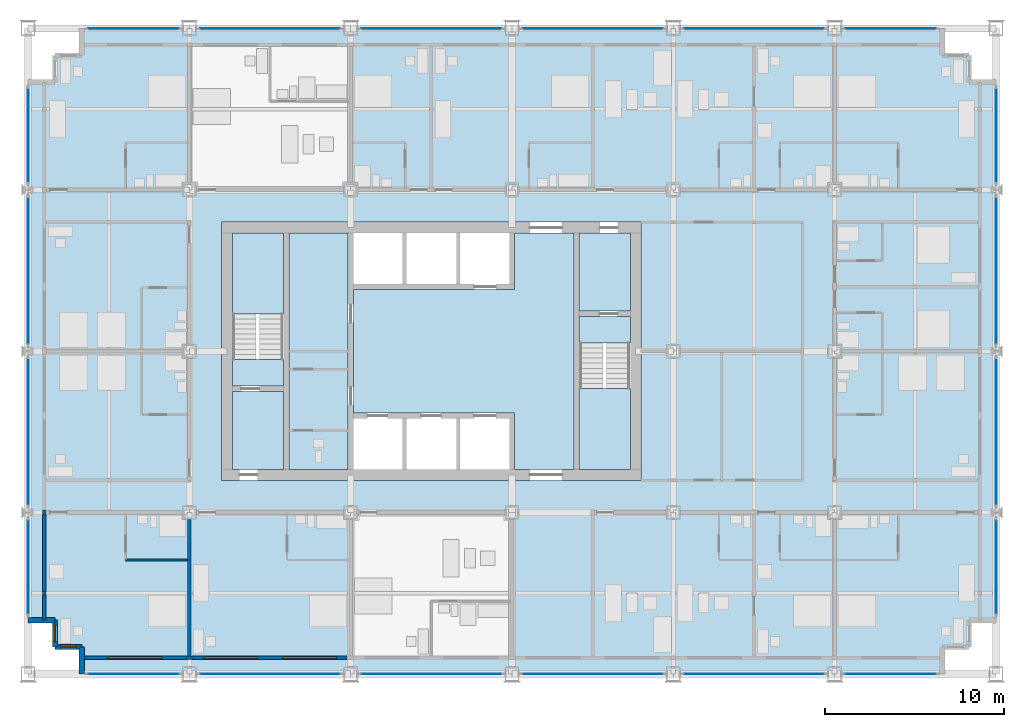
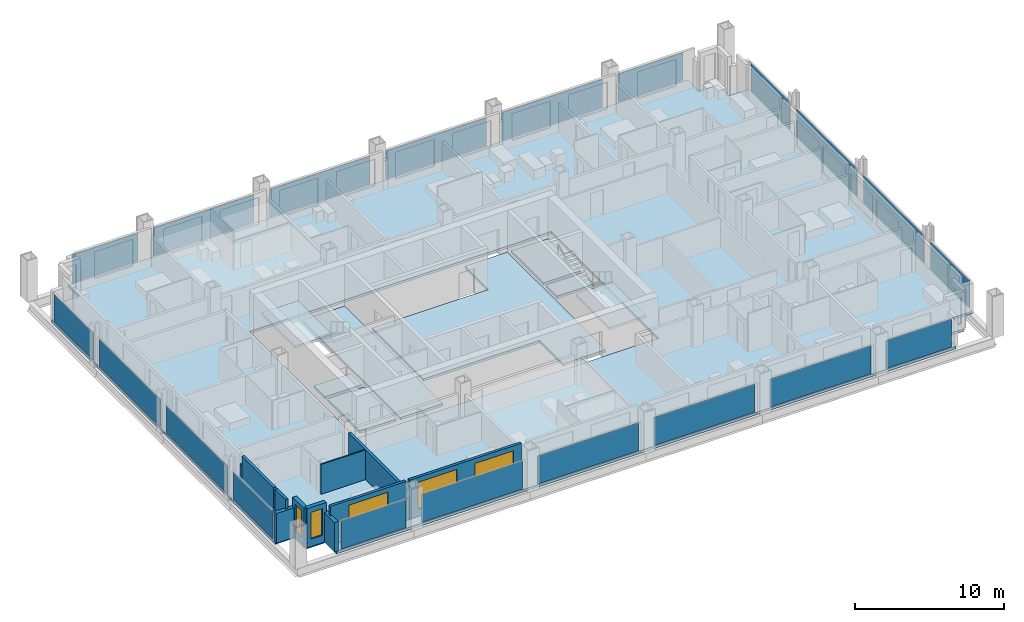
# One storey, part 9 of 18: 20 plates, 13 walls, 9 slabs, 5 windows, 5 openings, 22 elements without a shape of their own.
"""IFC4 building model written with IfcOpenShell, lengths in metres."""

from ifc_helpers import new_model, si_unit, direction, frame, frame_2d, origin, origin_2d, place, context, subcontext, project, spatial, polyline, rectangle, outline, extrude, material, layer, layer_set, type_object, element, fill, aggregate, save


model = new_model("IFC4")

# Units and contexts
model_context = context("Model", 3, precision=1e-05, world=origin(), true_north=direction((0.0, 1.0)))
body_context = subcontext(model_context, "Body", "Model", "MODEL_VIEW")
ifc_project = project(units=[si_unit("LENGTHUNIT", "METRE"), si_unit("AREAUNIT", "SQUARE_METRE"), si_unit("VOLUMEUNIT", "CUBIC_METRE"), si_unit("PLANEANGLEUNIT", "RADIAN"), si_unit("MASSUNIT", "GRAM", prefix="KILO")], contexts=[model_context])

# Site, building, storey
site_placement = place(None, origin())
site = spatial("IfcSite", under=ifc_project, at=site_placement, CompositionType="ELEMENT")
building_placement = place(site_placement, origin())
building = spatial("IfcBuilding", under=site, at=building_placement, Name="Loomwork Tower", CompositionType="ELEMENT")
storey_placement = place(building_placement, frame((0.0, 0.0, 72.199951171875)))
storey = spatial("IfcBuildingStorey", under=building, at=storey_placement, Name="L18", CompositionType="ELEMENT", Elevation=72.199951171875)

# Slabs
ifc_material_1 = material(Name="Concrete 5000 psi (34 MPa) on composite metal deck", Category="concrete")
ifc_layer_1 = layer(ifc_material_1, 0.199951171875)
ifc_layer_set_1 = layer_set([ifc_layer_1], Name="Floor slab 200")
slab_type_1 = type_object("IfcSlabType", Name="Floor slab 200", PredefinedType="FLOOR", material=ifc_layer_set_1)
slab_1_placement = place(storey_placement, frame((0.0, 0.0, -0.199951171875)))
element("IfcSlab", 1, at=slab_1_placement, inside=storey, type_object=slab_type_1, Name="Floor slab L18", PredefinedType="FLOOR", context=body_context, shape_type="SweptSolid", body=[
    extrude(outline(polyline([(3.0, 1.5), (1.5, 1.5), (1.5, 3.0), (0.0, 3.0), (0.0, 33.0), (1.5, 33.0), (1.5, 34.5), (3.0, 34.5), (3.0, 36.0), (51.0, 36.0), (51.0, 34.5), (52.5, 34.5), (52.5, 33.0), (54.0, 33.0), (54.0, 3.0), (52.5, 3.0), (52.5, 1.5), (51.0, 1.5), (51.0, 0.0), (3.0, 0.0), (3.0, 1.5)]), holes=[polyline([(10.800048828125, 11.39990234375), (10.800048828125, 11.39990234375), (10.800048828125, 10.800048828125), (34.199951171875, 10.800048828125), (34.199951171875, 11.39990234375), (34.199951171875, 11.39990234375), (34.199951171875, 24.60009765625), (34.199951171875, 25.199951171875), (10.800048828125, 25.199951171875), (10.800048828125, 24.60009765625), (10.800048828125, 11.39990234375)])]), origin(), (0.0, 0.0, 1.0), 0.199951171875),
])
slab_2_placement = place(storey_placement, frame((0.0, 0.0, -0.199951171875)))
element("IfcSlab", 2, at=slab_2_placement, inside=storey, type_object=slab_type_1, Name="Floor slab L18", PredefinedType="FLOOR", context=body_context, shape_type="SweptSolid", body=[
    extrude(outline(polyline([(30.449951171875, 24.60009765625), (30.449951171875, 11.39990234375), (27.14990234375, 11.39990234375), (27.14990234375, 14.25), (27.14990234375, 14.550048828125), (18.14990234375, 14.550048828125), (18.14990234375, 21.449951171875), (27.14990234375, 21.449951171875), (27.14990234375, 21.75), (27.14990234375, 24.60009765625), (30.449951171875, 24.60009765625)])), origin(), (0.0, 0.0, 1.0), 0.199951171875),
])
slab_3_placement = place(storey_placement, frame((0.0, 0.0, -0.199951171875)))
element("IfcSlab", 3, at=slab_3_placement, inside=storey, type_object=slab_type_1, Name="Floor slab L18", PredefinedType="FLOOR", context=body_context, shape_type="SweptSolid", body=[
    extrude(outline(polyline([(14.550048828125, 11.39990234375), (14.550048828125, 24.60009765625), (17.85009765625, 24.60009765625), (17.85009765625, 11.39990234375), (14.550048828125, 11.39990234375)])), origin(), (0.0, 0.0, 1.0), 0.199951171875),
])
slab_4_placement = place(storey_placement, frame((0.0, 0.0, -0.199951171875)))
element("IfcSlab", 4, at=slab_4_placement, inside=storey, type_object=slab_type_1, Name="Floor slab L18", PredefinedType="FLOOR", context=body_context, shape_type="SweptSolid", body=[
    extrude(outline(polyline([(33.60009765625, 20.25), (30.75, 20.25), (30.75, 24.60009765625), (33.60009765625, 24.60009765625), (33.60009765625, 20.25)])), origin(), (0.0, 0.0, 1.0), 0.199951171875),
])
slab_5_placement = place(storey_placement, frame((0.0, 0.0, -0.199951171875)))
element("IfcSlab", 5, at=slab_5_placement, inside=storey, type_object=slab_type_1, Name="Floor slab L18", PredefinedType="FLOOR", context=body_context, shape_type="SweptSolid", body=[
    extrude(outline(polyline([(14.25, 15.75), (14.25, 11.39990234375), (11.39990234375, 11.39990234375), (11.39990234375, 15.75), (14.25, 15.75)])), origin(), (0.0, 0.0, 1.0), 0.199951171875),
])

# Curtain wall, plate
ifc_material_2 = material(Name="Aluminium curtain wall frame", Category="aluminium")
curtain_wall_type = type_object("IfcCurtainWallType", Name="Outer skin glazing hotel", PredefinedType="NOTDEFINED", material=ifc_material_2)
curtain_wall_1_placement = place(storey_placement, origin())
curtain_wall_1 = element("IfcCurtainWall", 6, at=curtain_wall_1_placement, inside=storey, type_object=curtain_wall_type, Name="Outer skin glazing hotel cw/S-0", PredefinedType="NOTDEFINED")
ifc_material_3 = material(Name="Clear laminated glass", Category="glass")
ifc_layer_2 = layer(ifc_material_3, 0.02392578125)
ifc_layer_set_2 = layer_set([ifc_layer_2], Name="Outer skin glazing hotel panel")
plate_type = type_object("IfcPlateType", Name="Outer skin glazing hotel panel", PredefinedType="CURTAIN_PANEL", material=ifc_layer_set_2)
plate_1_placement = place(storey_placement, frame((5.875, 0.0, 0.06494140625), z_axis=(0.0, 0.0, 1.0), x_axis=(1.0, 0.0, 0.0)))
plate_1 = element("IfcPlate", 7, at=plate_1_placement, type_object=plate_type, Name="CW1 panel 1.1", PredefinedType="CURTAIN_PANEL", context=body_context, shape_type="SweptSolid", body=[
    extrude(rectangle(XDim=5.050048828125, YDim=0.02392578125, at=origin_2d()), origin(), (0.0, 0.0, 1.0), 2.290283203125),
])
aggregate(curtain_wall_1, [plate_1])

curtain_wall_2_placement = place(storey_placement, origin())
curtain_wall_2 = element("IfcCurtainWall", 8, at=curtain_wall_2_placement, inside=storey, type_object=curtain_wall_type, Name="Outer skin glazing hotel cw/S-9", PredefinedType="NOTDEFINED")
plate_2_placement = place(storey_placement, frame((13.5, 0.0, 0.06494140625), z_axis=(0.0, 0.0, 1.0), x_axis=(1.0, 0.0, 0.0)))
plate_2 = element("IfcPlate", 9, at=plate_2_placement, type_object=plate_type, Name="CW1 panel 1.1", PredefinedType="CURTAIN_PANEL", context=body_context, shape_type="SweptSolid", body=[
    extrude(rectangle(XDim=7.800048828125, YDim=0.02392578125, at=origin_2d()), origin(), (0.0, 0.0, 1.0), 2.290283203125),
])
aggregate(curtain_wall_2, [plate_2])

curtain_wall_3_placement = place(storey_placement, origin())
curtain_wall_3 = element("IfcCurtainWall", 10, at=curtain_wall_3_placement, inside=storey, type_object=curtain_wall_type, Name="Outer skin glazing hotel cw/S-18", PredefinedType="NOTDEFINED")
plate_3_placement = place(storey_placement, frame((22.5, 0.0, 0.06494140625), z_axis=(0.0, 0.0, 1.0), x_axis=(1.0, 0.0, 0.0)))
plate_3 = element("IfcPlate", 11, at=plate_3_placement, type_object=plate_type, Name="CW1 panel 1.1", PredefinedType="CURTAIN_PANEL", context=body_context, shape_type="SweptSolid", body=[
    extrude(rectangle(XDim=7.800048828125, YDim=0.02392578125, at=origin_2d()), origin(), (0.0, 0.0, 1.0), 2.290283203125),
])
aggregate(curtain_wall_3, [plate_3])

curtain_wall_4_placement = place(storey_placement, origin())
curtain_wall_4 = element("IfcCurtainWall", 12, at=curtain_wall_4_placement, inside=storey, type_object=curtain_wall_type, Name="Outer skin glazing hotel cw/S-27", PredefinedType="NOTDEFINED")
plate_4_placement = place(storey_placement, frame((31.5, 0.0, 0.06494140625), z_axis=(0.0, 0.0, 1.0), x_axis=(1.0, 0.0, 0.0)))
plate_4 = element("IfcPlate", 13, at=plate_4_placement, type_object=plate_type, Name="CW1 panel 1.1", PredefinedType="CURTAIN_PANEL", context=body_context, shape_type="SweptSolid", body=[
    extrude(rectangle(XDim=7.800048828125, YDim=0.02392578125, at=origin_2d()), origin(), (0.0, 0.0, 1.0), 2.290283203125),
])
aggregate(curtain_wall_4, [plate_4])

curtain_wall_5_placement = place(storey_placement, origin())
curtain_wall_5 = element("IfcCurtainWall", 14, at=curtain_wall_5_placement, inside=storey, type_object=curtain_wall_type, Name="Outer skin glazing hotel cw/S-36", PredefinedType="NOTDEFINED")
plate_5_placement = place(storey_placement, frame((40.5, 0.0, 0.06494140625), z_axis=(0.0, 0.0, 1.0), x_axis=(1.0, 0.0, 0.0)))
plate_5 = element("IfcPlate", 15, at=plate_5_placement, type_object=plate_type, Name="CW1 panel 1.1", PredefinedType="CURTAIN_PANEL", context=body_context, shape_type="SweptSolid", body=[
    extrude(rectangle(XDim=7.800048828125, YDim=0.02392578125, at=origin_2d()), origin(), (0.0, 0.0, 1.0), 2.290283203125),
])
aggregate(curtain_wall_5, [plate_5])

curtain_wall_6_placement = place(storey_placement, origin())
curtain_wall_6 = element("IfcCurtainWall", 16, at=curtain_wall_6_placement, inside=storey, type_object=curtain_wall_type, Name="Outer skin glazing hotel cw/S-45", PredefinedType="NOTDEFINED")
plate_6_placement = place(storey_placement, frame((48.125, 0.0, 0.06494140625), z_axis=(0.0, 0.0, 1.0), x_axis=(1.0, 0.0, 0.0)))
plate_6 = element("IfcPlate", 17, at=plate_6_placement, type_object=plate_type, Name="CW1 panel 1.1", PredefinedType="CURTAIN_PANEL", context=body_context, shape_type="SweptSolid", body=[
    extrude(rectangle(XDim=5.050048828125, YDim=0.02392578125, at=origin_2d()), origin(), (0.0, 0.0, 1.0), 2.290283203125),
])
aggregate(curtain_wall_6, [plate_6])

curtain_wall_7_placement = place(storey_placement, origin())
curtain_wall_7 = element("IfcCurtainWall", 18, at=curtain_wall_7_placement, inside=storey, type_object=curtain_wall_type, Name="Outer skin glazing hotel cw/N-0", PredefinedType="NOTDEFINED")
plate_7_placement = place(storey_placement, frame((5.875, 36.0, 0.06494140625), z_axis=(0.0, 0.0, 1.0), x_axis=(-1.0, 0.0, 0.0)))
plate_7 = element("IfcPlate", 19, at=plate_7_placement, type_object=plate_type, Name="CW1 panel 1.1", PredefinedType="CURTAIN_PANEL", context=body_context, shape_type="SweptSolid", body=[
    extrude(rectangle(XDim=5.050048828125, YDim=0.02392578125, at=origin_2d()), origin(), (0.0, 0.0, 1.0), 2.290283203125),
])
aggregate(curtain_wall_7, [plate_7])

curtain_wall_8_placement = place(storey_placement, origin())
curtain_wall_8 = element("IfcCurtainWall", 20, at=curtain_wall_8_placement, inside=storey, type_object=curtain_wall_type, Name="Outer skin glazing hotel cw/N-9", PredefinedType="NOTDEFINED")
plate_8_placement = place(storey_placement, frame((13.5, 36.0, 0.06494140625), z_axis=(0.0, 0.0, 1.0), x_axis=(-1.0, 0.0, 0.0)))
plate_8 = element("IfcPlate", 21, at=plate_8_placement, type_object=plate_type, Name="CW1 panel 1.1", PredefinedType="CURTAIN_PANEL", context=body_context, shape_type="SweptSolid", body=[
    extrude(rectangle(XDim=7.800048828125, YDim=0.02392578125, at=origin_2d()), origin(), (0.0, 0.0, 1.0), 2.290283203125),
])
aggregate(curtain_wall_8, [plate_8])

curtain_wall_9_placement = place(storey_placement, origin())
curtain_wall_9 = element("IfcCurtainWall", 22, at=curtain_wall_9_placement, inside=storey, type_object=curtain_wall_type, Name="Outer skin glazing hotel cw/N-18", PredefinedType="NOTDEFINED")
plate_9_placement = place(storey_placement, frame((22.5, 36.0, 0.06494140625), z_axis=(0.0, 0.0, 1.0), x_axis=(-1.0, 0.0, 0.0)))
plate_9 = element("IfcPlate", 23, at=plate_9_placement, type_object=plate_type, Name="CW1 panel 1.1", PredefinedType="CURTAIN_PANEL", context=body_context, shape_type="SweptSolid", body=[
    extrude(rectangle(XDim=7.800048828125, YDim=0.02392578125, at=origin_2d()), origin(), (0.0, 0.0, 1.0), 2.290283203125),
])
aggregate(curtain_wall_9, [plate_9])

curtain_wall_10_placement = place(storey_placement, origin())
curtain_wall_10 = element("IfcCurtainWall", 24, at=curtain_wall_10_placement, inside=storey, type_object=curtain_wall_type, Name="Outer skin glazing hotel cw/N-27", PredefinedType="NOTDEFINED")
plate_10_placement = place(storey_placement, frame((31.5, 36.0, 0.06494140625), z_axis=(0.0, 0.0, 1.0), x_axis=(-1.0, 0.0, 0.0)))
plate_10 = element("IfcPlate", 25, at=plate_10_placement, type_object=plate_type, Name="CW1 panel 1.1", PredefinedType="CURTAIN_PANEL", context=body_context, shape_type="SweptSolid", body=[
    extrude(rectangle(XDim=7.800048828125, YDim=0.02392578125, at=origin_2d()), origin(), (0.0, 0.0, 1.0), 2.290283203125),
])
aggregate(curtain_wall_10, [plate_10])

curtain_wall_11_placement = place(storey_placement, origin())
curtain_wall_11 = element("IfcCurtainWall", 26, at=curtain_wall_11_placement, inside=storey, type_object=curtain_wall_type, Name="Outer skin glazing hotel cw/N-36", PredefinedType="NOTDEFINED")
plate_11_placement = place(storey_placement, frame((40.5, 36.0, 0.06494140625), z_axis=(0.0, 0.0, 1.0), x_axis=(-1.0, 0.0, 0.0)))
plate_11 = element("IfcPlate", 27, at=plate_11_placement, type_object=plate_type, Name="CW1 panel 1.1", PredefinedType="CURTAIN_PANEL", context=body_context, shape_type="SweptSolid", body=[
    extrude(rectangle(XDim=7.800048828125, YDim=0.02392578125, at=origin_2d()), origin(), (0.0, 0.0, 1.0), 2.290283203125),
])
aggregate(curtain_wall_11, [plate_11])

curtain_wall_12_placement = place(storey_placement, origin())
curtain_wall_12 = element("IfcCurtainWall", 28, at=curtain_wall_12_placement, inside=storey, type_object=curtain_wall_type, Name="Outer skin glazing hotel cw/N-45", PredefinedType="NOTDEFINED")
plate_12_placement = place(storey_placement, frame((48.125, 36.0, 0.06494140625), z_axis=(0.0, 0.0, 1.0), x_axis=(-1.0, 0.0, 0.0)))
plate_12 = element("IfcPlate", 29, at=plate_12_placement, type_object=plate_type, Name="CW1 panel 1.1", PredefinedType="CURTAIN_PANEL", context=body_context, shape_type="SweptSolid", body=[
    extrude(rectangle(XDim=5.050048828125, YDim=0.02392578125, at=origin_2d()), origin(), (0.0, 0.0, 1.0), 2.290283203125),
])
aggregate(curtain_wall_12, [plate_12])

curtain_wall_13_placement = place(storey_placement, origin())
curtain_wall_13 = element("IfcCurtainWall", 30, at=curtain_wall_13_placement, inside=storey, type_object=curtain_wall_type, Name="Outer skin glazing hotel cw/W-0", PredefinedType="NOTDEFINED")
plate_13_placement = place(storey_placement, frame((0.0, 5.96142578125, 0.06494140625), z_axis=(0.0, 0.0, 1.0), x_axis=(0.0, -1.0, 0.0)))
plate_13 = element("IfcPlate", 31, at=plate_13_placement, type_object=plate_type, Name="CW1 panel 1.1", PredefinedType="CURTAIN_PANEL", context=body_context, shape_type="SweptSolid", body=[
    extrude(rectangle(XDim=5.22265625, YDim=0.02392578125, at=origin_2d()), origin(), (0.0, 0.0, 1.0), 2.290283203125),
])
aggregate(curtain_wall_13, [plate_13])

curtain_wall_14_placement = place(storey_placement, origin())
curtain_wall_14 = element("IfcCurtainWall", 32, at=curtain_wall_14_placement, inside=storey, type_object=curtain_wall_type, Name="Outer skin glazing hotel cw/W-9", PredefinedType="NOTDEFINED")
plate_14_placement = place(storey_placement, frame((0.0, 13.5, 0.06494140625), z_axis=(0.0, 0.0, 1.0), x_axis=(0.0, -1.0, 0.0)))
plate_14 = element("IfcPlate", 33, at=plate_14_placement, type_object=plate_type, Name="CW1 panel 1.1", PredefinedType="CURTAIN_PANEL", context=body_context, shape_type="SweptSolid", body=[
    extrude(rectangle(XDim=8.1455078125, YDim=0.02392578125, at=origin_2d()), origin(), (0.0, 0.0, 1.0), 2.290283203125),
])
aggregate(curtain_wall_14, [plate_14])

curtain_wall_15_placement = place(storey_placement, origin())
curtain_wall_15 = element("IfcCurtainWall", 34, at=curtain_wall_15_placement, inside=storey, type_object=curtain_wall_type, Name="Outer skin glazing hotel cw/W-18", PredefinedType="NOTDEFINED")
plate_15_placement = place(storey_placement, frame((0.0, 22.5, 0.06494140625), z_axis=(0.0, 0.0, 1.0), x_axis=(0.0, -1.0, 0.0)))
plate_15 = element("IfcPlate", 35, at=plate_15_placement, type_object=plate_type, Name="CW1 panel 1.1", PredefinedType="CURTAIN_PANEL", context=body_context, shape_type="SweptSolid", body=[
    extrude(rectangle(XDim=8.1455078125, YDim=0.02392578125, at=origin_2d()), origin(), (0.0, 0.0, 1.0), 2.290283203125),
])
aggregate(curtain_wall_15, [plate_15])

curtain_wall_16_placement = place(storey_placement, origin())
curtain_wall_16 = element("IfcCurtainWall", 36, at=curtain_wall_16_placement, inside=storey, type_object=curtain_wall_type, Name="Outer skin glazing hotel cw/W-27", PredefinedType="NOTDEFINED")
plate_16_placement = place(storey_placement, frame((0.0, 30.03857421875, 0.06494140625), z_axis=(0.0, 0.0, 1.0), x_axis=(0.0, -1.0, 0.0)))
plate_16 = element("IfcPlate", 37, at=plate_16_placement, type_object=plate_type, Name="CW1 panel 1.1", PredefinedType="CURTAIN_PANEL", context=body_context, shape_type="SweptSolid", body=[
    extrude(rectangle(XDim=5.22265625, YDim=0.02392578125, at=origin_2d()), origin(), (0.0, 0.0, 1.0), 2.290283203125),
])
aggregate(curtain_wall_16, [plate_16])

curtain_wall_17_placement = place(storey_placement, origin())
curtain_wall_17 = element("IfcCurtainWall", 38, at=curtain_wall_17_placement, inside=storey, type_object=curtain_wall_type, Name="Outer skin glazing hotel cw/E-0", PredefinedType="NOTDEFINED")
plate_17_placement = place(storey_placement, frame((54.0, 5.96142578125, 0.06494140625), z_axis=(0.0, 0.0, 1.0), x_axis=(0.0, 1.0, 0.0)))
plate_17 = element("IfcPlate", 39, at=plate_17_placement, type_object=plate_type, Name="CW1 panel 1.1", PredefinedType="CURTAIN_PANEL", context=body_context, shape_type="SweptSolid", body=[
    extrude(rectangle(XDim=5.22265625, YDim=0.02392578125, at=origin_2d()), origin(), (0.0, 0.0, 1.0), 2.290283203125),
])
aggregate(curtain_wall_17, [plate_17])

curtain_wall_18_placement = place(storey_placement, origin())
curtain_wall_18 = element("IfcCurtainWall", 40, at=curtain_wall_18_placement, inside=storey, type_object=curtain_wall_type, Name="Outer skin glazing hotel cw/E-9", PredefinedType="NOTDEFINED")
plate_18_placement = place(storey_placement, frame((54.0, 13.5, 0.06494140625), z_axis=(0.0, 0.0, 1.0), x_axis=(0.0, 1.0, 0.0)))
plate_18 = element("IfcPlate", 41, at=plate_18_placement, type_object=plate_type, Name="CW1 panel 1.1", PredefinedType="CURTAIN_PANEL", context=body_context, shape_type="SweptSolid", body=[
    extrude(rectangle(XDim=8.1455078125, YDim=0.02392578125, at=origin_2d()), origin(), (0.0, 0.0, 1.0), 2.290283203125),
])
aggregate(curtain_wall_18, [plate_18])

curtain_wall_19_placement = place(storey_placement, origin())
curtain_wall_19 = element("IfcCurtainWall", 42, at=curtain_wall_19_placement, inside=storey, type_object=curtain_wall_type, Name="Outer skin glazing hotel cw/E-18", PredefinedType="NOTDEFINED")
plate_19_placement = place(storey_placement, frame((54.0, 22.5, 0.06494140625), z_axis=(0.0, 0.0, 1.0), x_axis=(0.0, 1.0, 0.0)))
plate_19 = element("IfcPlate", 43, at=plate_19_placement, type_object=plate_type, Name="CW1 panel 1.1", PredefinedType="CURTAIN_PANEL", context=body_context, shape_type="SweptSolid", body=[
    extrude(rectangle(XDim=8.1455078125, YDim=0.02392578125, at=origin_2d()), origin(), (0.0, 0.0, 1.0), 2.290283203125),
])
aggregate(curtain_wall_19, [plate_19])

curtain_wall_20_placement = place(storey_placement, origin())
curtain_wall_20 = element("IfcCurtainWall", 44, at=curtain_wall_20_placement, inside=storey, type_object=curtain_wall_type, Name="Outer skin glazing hotel cw/E-27", PredefinedType="NOTDEFINED")
plate_20_placement = place(storey_placement, frame((54.0, 30.03857421875, 0.06494140625), z_axis=(0.0, 0.0, 1.0), x_axis=(0.0, 1.0, 0.0)))
plate_20 = element("IfcPlate", 45, at=plate_20_placement, type_object=plate_type, Name="CW1 panel 1.1", PredefinedType="CURTAIN_PANEL", context=body_context, shape_type="SweptSolid", body=[
    extrude(rectangle(XDim=5.22265625, YDim=0.02392578125, at=origin_2d()), origin(), (0.0, 0.0, 1.0), 2.290283203125),
])
aggregate(curtain_wall_20, [plate_20])

# Stair, slabs
ifc_material_4 = material(Name="Concrete 5000 psi (34 MPa) precast stair", Category="concrete")
stair_type_1 = type_object("IfcStairType", Name="Stair ST-A 20 risers 2850 wide", PredefinedType="HALF_TURN_STAIR", material=ifc_material_4)
stair_1_placement = place(storey_placement, origin())
stair_1 = element("IfcStair", 46, at=stair_1_placement, inside=storey, type_object=stair_type_1, Name="Stair A L18", PredefinedType="HALF_TURN_STAIR")
ifc_material_5 = material(Name="Concrete 5000 psi (34 MPa)", Category="concrete")
ifc_layer_3 = layer(ifc_material_5, 0.199951171875)
ifc_layer_set_3 = layer_set([ifc_layer_3], Name="Stair landing 200")
slab_type_2 = type_object("IfcSlabType", Name="Stair landing 200", PredefinedType="LANDING", material=ifc_layer_set_3)
slab_6_placement = place(storey_placement, frame((0.0, 0.0, -0.199951171875)))
slab_6 = element("IfcSlab", 47, at=slab_6_placement, type_object=slab_type_2, Name="ST-A landing 1", PredefinedType="LANDING", context=body_context, shape_type="SweptSolid", body=[
    extrude(outline(polyline([(11.39990234375, 16.050048828125), (14.25, 16.050048828125), (14.25, 17.550048828125), (11.39990234375, 17.550048828125), (11.39990234375, 16.050048828125)])), origin(), (0.0, 0.0, 1.0), 0.199951171875),
])
slab_7_placement = place(storey_placement, frame((0.0, 0.0, 1.5)))
slab_7 = element("IfcSlab", 48, at=slab_7_placement, type_object=slab_type_2, Name="ST-A landing 2", PredefinedType="LANDING", context=body_context, shape_type="SweptSolid", body=[
    extrude(outline(polyline([(11.39990234375, 20.070068359375), (14.25, 20.070068359375), (14.25, 24.60009765625), (11.39990234375, 24.60009765625), (11.39990234375, 20.070068359375)])), origin(), (0.0, 0.0, 1.0), 0.199951171875),
])
aggregate(stair_1, [slab_6, slab_7])

ifc_material_6 = material(Name="Concrete 5000 psi (34 MPa) precast stair", Category="concrete")
stair_type_2 = type_object("IfcStairType", Name="Stair ST-B 20 risers 2850 wide", PredefinedType="HALF_TURN_STAIR", material=ifc_material_6)
stair_2_placement = place(storey_placement, origin())
stair_2 = element("IfcStair", 49, at=stair_2_placement, inside=storey, type_object=stair_type_2, Name="Stair B L18", PredefinedType="HALF_TURN_STAIR")
slab_8_placement = place(storey_placement, frame((0.0, 0.0, -0.199951171875)))
slab_8 = element("IfcSlab", 50, at=slab_8_placement, type_object=slab_type_2, Name="ST-B landing 1", PredefinedType="LANDING", context=body_context, shape_type="SweptSolid", body=[
    extrude(outline(polyline([(30.75, 18.449951171875), (33.60009765625, 18.449951171875), (33.60009765625, 19.949951171875), (30.75, 19.949951171875), (30.75, 18.449951171875)])), origin(), (0.0, 0.0, 1.0), 0.199951171875),
])
slab_9_placement = place(storey_placement, frame((0.0, 0.0, 1.5)))
slab_9 = element("IfcSlab", 51, at=slab_9_placement, type_object=slab_type_2, Name="ST-B landing 2", PredefinedType="LANDING", context=body_context, shape_type="SweptSolid", body=[
    extrude(outline(polyline([(30.75, 11.39990234375), (33.60009765625, 11.39990234375), (33.60009765625, 15.929931640625), (30.75, 15.929931640625), (30.75, 11.39990234375)])), origin(), (0.0, 0.0, 1.0), 0.199951171875),
])
aggregate(stair_2, [slab_8, slab_9])

# Walls
ifc_material_7 = material(Name="Cement board on steel studs", Category="steel")
ifc_layer_4 = layer(ifc_material_7, 0.10009765625)
ifc_layer_set_4 = layer_set([ifc_layer_4], Name="En-suite partition 100")
wall_type_1 = type_object("IfcWallType", Name="En-suite partition 100", PredefinedType="PARTITIONING", material=ifc_layer_set_4)
wall_1_placement = place(storey_placement, frame((5.449951171875, 6.35009765625, 0.0), z_axis=(0.0, 0.0, 1.0), x_axis=(1.0, 0.0, 0.0)))
element("IfcWall", 52, at=wall_1_placement, inside=storey, type_object=wall_type_1, Name="En-suite wall L18 room 1", PredefinedType="PARTITIONING", context=body_context, shape_type="SweptSolid", body=[
    extrude(rectangle(XDim=3.449951171875, YDim=0.10009765625, at=frame_2d((1.72509765625, 0.0))), origin(), (0.0, 0.0, 1.0), 2.43798828125),
])
ifc_material_8 = material(Name="Gypsum board on steel studs, acoustic", Category="steel")
ifc_layer_5 = layer(ifc_material_8, 0.199951171875)
ifc_layer_set_5 = layer_set([ifc_layer_5], Name="Guest room party wall 200")
wall_type_2 = type_object("IfcWallType", Name="Guest room party wall 200", PredefinedType="PARTITIONING", material=ifc_layer_set_5)
wall_2_placement = place(storey_placement, frame((9.0, 8.60009765625, 0.0), z_axis=(0.0, 0.0, 1.0), x_axis=(0.0, -1.0, 0.0)))
element("IfcWall", 53, at=wall_2_placement, inside=storey, type_object=wall_type_2, Name="Guest room party wall S 9", PredefinedType="PARTITIONING", context=body_context, shape_type="SweptSolid", body=[
    extrude(rectangle(XDim=7.60009765625, YDim=0.199951171875, at=frame_2d((3.800048828125, 0.0))), origin(), (0.0, 0.0, 1.0), 2.43798828125),
])

# Wall, opening, window
ifc_material_9 = material(Name="Insulated steel stud wall with gypsum lining", Category="steel")
ifc_layer_6 = layer(ifc_material_9, 0.199951171875)
ifc_layer_set_6 = layer_set([ifc_layer_6], Name="Inner skin wall 200")
wall_type_3 = type_object("IfcWallType", Name="Inner skin wall 200", PredefinedType="SOLIDWALL", material=ifc_layer_set_6)
wall_3_placement = place(storey_placement, frame((3.0, 0.89990234375, 0.0), z_axis=(0.0, 0.0, 1.0), x_axis=(1.0, 0.0, 0.0)))
wall_3 = element("IfcWall", 54, at=wall_3_placement, inside=storey, type_object=wall_type_3, Name="Inner skin wall S", PredefinedType="SOLIDWALL", context=body_context, shape_type="SweptSolid", body=[
    extrude(rectangle(XDim=5.86474609375, YDim=0.199951171875, at=frame_2d((2.932373046875, 0.0))), origin(), (0.0, 0.0, 1.0), 3.199951171875),
])
opening_1_placement = place(wall_3_placement, frame((1.449951171875, 0.0, 0.60009765625)))
opening_1 = element("IfcOpeningElement", 55, at=opening_1_placement, cuts=wall_3, Name="Opening CH1", PredefinedType="OPENING", context=body_context, shape_type="SweptSolid", body=[
    extrude(rectangle(XDim=3.0, YDim=2.199951171875, at=frame_2d((1.5, 1.10009765625))), frame((0.0, 0.10986328125, 0.0), z_axis=(0.0, -1.0, 0.0), x_axis=(1.0, 0.0, 0.0)), (0.0, 0.0, 1.0), 0.219970703125),
])
ifc_material_10 = material(Name="Aluminium frame with clear insulated glass", Category="aluminium")
window_type_1 = type_object("IfcWindowType", Name="Chicago window 3000", PartitioningType="TRIPLE_PANEL_VERTICAL", PredefinedType="WINDOW", material=ifc_material_10)
window_1_placement = place(opening_1_placement, origin())
window_1 = element("IfcWindow", 56, at=window_1_placement, inside=storey, type_object=window_type_1, Name="Chicago window L18 bay 1", OverallHeight=2.199951171875, OverallWidth=3.0, PartitioningType="TRIPLE_PANEL_VERTICAL", PredefinedType="WINDOW", context=body_context, shape_type="SweptSolid", body=[
    extrude(rectangle(XDim=3.0, YDim=2.199951171875, at=frame_2d((1.5, 1.10009765625))), frame((0.0, 0.030029296875, 0.0), z_axis=(0.0, -1.0, 0.0), x_axis=(1.0, 0.0, 0.0)), (0.0, 0.0, 1.0), 0.06005859375),
])
fill(opening_1, window_1)

# Walls
wall_4_placement = place(storey_placement, frame((0.89990234375, 3.0, 0.0), z_axis=(0.0, 0.0, 1.0), x_axis=(0.0, 1.0, 0.0)))
element("IfcWall", 57, at=wall_4_placement, inside=storey, type_object=wall_type_3, Name="Inner skin wall W", PredefinedType="SOLIDWALL", context=body_context, shape_type="SweptSolid", body=[
    extrude(rectangle(XDim=1.392578125, YDim=0.199951171875, at=frame_2d((0.6962890625, 0.0))), origin(), (0.0, 0.0, 1.0), 3.199951171875),
])
wall_5_placement = place(storey_placement, frame((8.86474609375, 0.89990234375, 0.0), z_axis=(0.0, 0.0, 1.0), x_axis=(1.0, 0.0, 0.0)))
element("IfcWall", 58, at=wall_5_placement, inside=storey, type_object=wall_type_3, Name="Inner skin wall S bay 2", PredefinedType="SOLIDWALL", context=body_context, shape_type="SweptSolid", body=[
    extrude(rectangle(XDim=0.2705078125, YDim=0.199951171875, at=frame_2d((0.13525390625, 0.0))), origin(), (0.0, 0.0, 1.0), 2.43798828125),
])

# Wall, openings, windows
wall_6_placement = place(storey_placement, frame((9.13525390625, 0.89990234375, 0.0), z_axis=(0.0, 0.0, 1.0), x_axis=(1.0, 0.0, 0.0)))
wall_6 = element("IfcWall", 59, at=wall_6_placement, inside=storey, type_object=wall_type_3, Name="Inner skin wall S bay 3", PredefinedType="SOLIDWALL", context=body_context, shape_type="SweptSolid", body=[
    extrude(rectangle(XDim=8.6708984375, YDim=0.199951171875, at=frame_2d((4.33544921875, 0.0))), origin(), (0.0, 0.0, 1.0), 3.199951171875),
])
opening_2_placement = place(wall_6_placement, frame((0.664794921875, 0.0, 0.60009765625)))
opening_2 = element("IfcOpeningElement", 60, at=opening_2_placement, cuts=wall_6, Name="Opening CH1", PredefinedType="OPENING", context=body_context, shape_type="SweptSolid", body=[
    extrude(rectangle(XDim=3.0, YDim=2.199951171875, at=frame_2d((1.5, 1.10009765625))), frame((0.0, 0.10986328125, 0.0), z_axis=(0.0, -1.0, 0.0), x_axis=(1.0, 0.0, 0.0)), (0.0, 0.0, 1.0), 0.219970703125),
])
opening_3_placement = place(wall_6_placement, frame((5.064697265625, 0.0, 0.60009765625)))
opening_3 = element("IfcOpeningElement", 61, at=opening_3_placement, cuts=wall_6, Name="Opening CH1", PredefinedType="OPENING", context=body_context, shape_type="SweptSolid", body=[
    extrude(rectangle(XDim=3.0, YDim=2.199951171875, at=frame_2d((1.5, 1.10009765625))), frame((0.0, 0.10986328125, 0.0), z_axis=(0.0, -1.0, 0.0), x_axis=(1.0, 0.0, 0.0)), (0.0, 0.0, 1.0), 0.219970703125),
])
window_2_placement = place(opening_2_placement, origin())
window_2 = element("IfcWindow", 62, at=window_2_placement, inside=storey, type_object=window_type_1, Name="Chicago window L18 bay 2", OverallHeight=2.199951171875, OverallWidth=3.0, PartitioningType="TRIPLE_PANEL_VERTICAL", PredefinedType="WINDOW", context=body_context, shape_type="SweptSolid", body=[
    extrude(rectangle(XDim=3.0, YDim=2.199951171875, at=frame_2d((1.5, 1.10009765625))), frame((0.0, 0.030029296875, 0.0), z_axis=(0.0, -1.0, 0.0), x_axis=(1.0, 0.0, 0.0)), (0.0, 0.0, 1.0), 0.06005859375),
])
fill(opening_2, window_2)
window_3_placement = place(opening_3_placement, origin())
window_3 = element("IfcWindow", 63, at=window_3_placement, inside=storey, type_object=window_type_1, Name="Chicago window L18 bay 2", OverallHeight=2.199951171875, OverallWidth=3.0, PartitioningType="TRIPLE_PANEL_VERTICAL", PredefinedType="WINDOW", context=body_context, shape_type="SweptSolid", body=[
    extrude(rectangle(XDim=3.0, YDim=2.199951171875, at=frame_2d((1.5, 1.10009765625))), frame((0.0, 0.030029296875, 0.0), z_axis=(0.0, -1.0, 0.0), x_axis=(1.0, 0.0, 0.0)), (0.0, 0.0, 1.0), 0.06005859375),
])
fill(opening_3, window_3)

# Walls
wall_7_placement = place(storey_placement, frame((0.89990234375, 4.392578125, 0.0), z_axis=(0.0, 0.0, 1.0), x_axis=(0.0, 1.0, 0.0)))
element("IfcWall", 64, at=wall_7_placement, inside=storey, type_object=wall_type_3, Name="Inner skin wall W bay 2", PredefinedType="SOLIDWALL", context=body_context, shape_type="SweptSolid", body=[
    extrude(rectangle(XDim=0.21484375, YDim=0.199951171875, at=frame_2d((0.107421875, 0.0))), origin(), (0.0, 0.0, 1.0), 2.6611328125),
])
wall_8_placement = place(storey_placement, frame((0.89990234375, 4.607421875, 0.0), z_axis=(0.0, 0.0, 1.0), x_axis=(0.0, 1.0, 0.0)))
element("IfcWall", 65, at=wall_8_placement, inside=storey, type_object=wall_type_3, Name="Inner skin wall W bay 3", PredefinedType="SOLIDWALL", context=body_context, shape_type="SweptSolid", body=[
    extrude(rectangle(XDim=4.25732421875, YDim=0.199951171875, at=frame_2d((2.128662109375, 0.0))), origin(), (0.0, 0.0, 1.0), 3.199951171875),
])
wall_9_placement = place(storey_placement, frame((0.89990234375, 8.86474609375, 0.0), z_axis=(0.0, 0.0, 1.0), x_axis=(0.0, 1.0, 0.0)))
element("IfcWall", 66, at=wall_9_placement, inside=storey, type_object=wall_type_3, Name="Inner skin wall W bay 4", PredefinedType="SOLIDWALL", context=body_context, shape_type="SweptSolid", body=[
    extrude(rectangle(XDim=0.2705078125, YDim=0.199951171875, at=frame_2d((0.13525390625, 0.0))), origin(), (0.0, 0.0, 1.0), 2.43798828125),
])
ifc_material_11 = material(Name="Limestone on concrete masonry", Category="masonry")
ifc_layer_7 = layer(ifc_material_11, 0.300048828125)
ifc_layer_set_7 = layer_set([ifc_layer_7], Name="Limestone corner wall 300")
wall_type_4 = type_object("IfcWallType", Name="Limestone corner wall 300", PredefinedType="SOLIDWALL", material=ifc_layer_set_7)
wall_10_placement = place(storey_placement, frame((0.0, 3.0, 0.0), z_axis=(0.0, 0.0, 1.0), x_axis=(1.0, 0.0, 0.0)))
element("IfcWall", 67, at=wall_10_placement, inside=storey, type_object=wall_type_4, Name="Stone corner wall SW 1", PredefinedType="SOLIDWALL", context=body_context, shape_type="SweptSolid", body=[
    extrude(rectangle(XDim=1.5, YDim=0.300048828125, at=frame_2d((0.75, 0.0))), origin(), (0.0, 0.0, 1.0), 2.420166015625),
])

# Wall, opening, window
wall_11_placement = place(storey_placement, frame((1.5, 3.0, 0.0), z_axis=(0.0, 0.0, 1.0), x_axis=(0.0, -1.0, 0.0)))
wall_11 = element("IfcWall", 68, at=wall_11_placement, inside=storey, type_object=wall_type_4, Name="Stone corner wall SW 2", PredefinedType="SOLIDWALL", context=body_context, shape_type="SweptSolid", body=[
    extrude(rectangle(XDim=1.5, YDim=0.300048828125, at=frame_2d((0.75, 0.0))), origin(), (0.0, 0.0, 1.0), 3.199951171875),
])
opening_4_placement = place(wall_11_placement, frame((0.300048828125, 0.0, 0.60009765625)))
opening_4 = element("IfcOpeningElement", 69, at=opening_4_placement, cuts=wall_11, Name="Opening CH2", PredefinedType="OPENING", context=body_context, shape_type="SweptSolid", body=[
    extrude(rectangle(XDim=0.89990234375, YDim=2.199951171875, at=frame_2d((0.449951171875, 1.10009765625))), frame((0.0, 0.159912109375, 0.0), z_axis=(0.0, -1.0, 0.0), x_axis=(1.0, 0.0, 0.0)), (0.0, 0.0, 1.0), 0.320068359375),
])
ifc_material_12 = material(Name="Aluminium frame with clear insulated glass", Category="aluminium")
window_type_2 = type_object("IfcWindowType", Name="Corner window 900", PartitioningType="SINGLE_PANEL", PredefinedType="WINDOW", material=ifc_material_12)
window_4_placement = place(opening_4_placement, origin())
window_4 = element("IfcWindow", 70, at=window_4_placement, inside=storey, type_object=window_type_2, Name="Corner window SW", OverallHeight=2.199951171875, OverallWidth=0.89990234375, PartitioningType="SINGLE_PANEL", PredefinedType="WINDOW", context=body_context, shape_type="SweptSolid", body=[
    extrude(rectangle(XDim=0.89990234375, YDim=2.199951171875, at=frame_2d((0.449951171875, 1.10009765625))), frame((0.0, 0.030029296875, 0.0), z_axis=(0.0, -1.0, 0.0), x_axis=(1.0, 0.0, 0.0)), (0.0, 0.0, 1.0), 0.06005859375),
])
fill(opening_4, window_4)

wall_12_placement = place(storey_placement, frame((1.5, 1.5, 0.0), z_axis=(0.0, 0.0, 1.0), x_axis=(1.0, 0.0, 0.0)))
wall_12 = element("IfcWall", 71, at=wall_12_placement, inside=storey, type_object=wall_type_4, Name="Stone corner wall SW 3", PredefinedType="SOLIDWALL", context=body_context, shape_type="SweptSolid", body=[
    extrude(rectangle(XDim=1.5, YDim=0.300048828125, at=frame_2d((0.75, 0.0))), origin(), (0.0, 0.0, 1.0), 3.199951171875),
])
opening_5_placement = place(wall_12_placement, frame((0.300048828125, 0.0, 0.60009765625)))
opening_5 = element("IfcOpeningElement", 72, at=opening_5_placement, cuts=wall_12, Name="Opening CH2", PredefinedType="OPENING", context=body_context, shape_type="SweptSolid", body=[
    extrude(rectangle(XDim=0.89990234375, YDim=2.199951171875, at=frame_2d((0.449951171875, 1.10009765625))), frame((0.0, 0.159912109375, 0.0), z_axis=(0.0, -1.0, 0.0), x_axis=(1.0, 0.0, 0.0)), (0.0, 0.0, 1.0), 0.320068359375),
])
window_5_placement = place(opening_5_placement, origin())
window_5 = element("IfcWindow", 73, at=window_5_placement, inside=storey, type_object=window_type_2, Name="Corner window SW", OverallHeight=2.199951171875, OverallWidth=0.89990234375, PartitioningType="SINGLE_PANEL", PredefinedType="WINDOW", context=body_context, shape_type="SweptSolid", body=[
    extrude(rectangle(XDim=0.89990234375, YDim=2.199951171875, at=frame_2d((0.449951171875, 1.10009765625))), frame((0.0, 0.030029296875, 0.0), z_axis=(0.0, -1.0, 0.0), x_axis=(1.0, 0.0, 0.0)), (0.0, 0.0, 1.0), 0.06005859375),
])
fill(opening_5, window_5)

# Wall
wall_13_placement = place(storey_placement, frame((3.0, 1.5, 0.0), z_axis=(0.0, 0.0, 1.0), x_axis=(0.0, -1.0, 0.0)))
element("IfcWall", 74, at=wall_13_placement, inside=storey, type_object=wall_type_4, Name="Stone corner wall SW 4", PredefinedType="SOLIDWALL", context=body_context, shape_type="SweptSolid", body=[
    extrude(rectangle(XDim=1.5, YDim=0.300048828125, at=frame_2d((0.75, 0.0))), origin(), (0.0, 0.0, 1.0), 2.420166015625),
])

save(model, "model.ifc")
